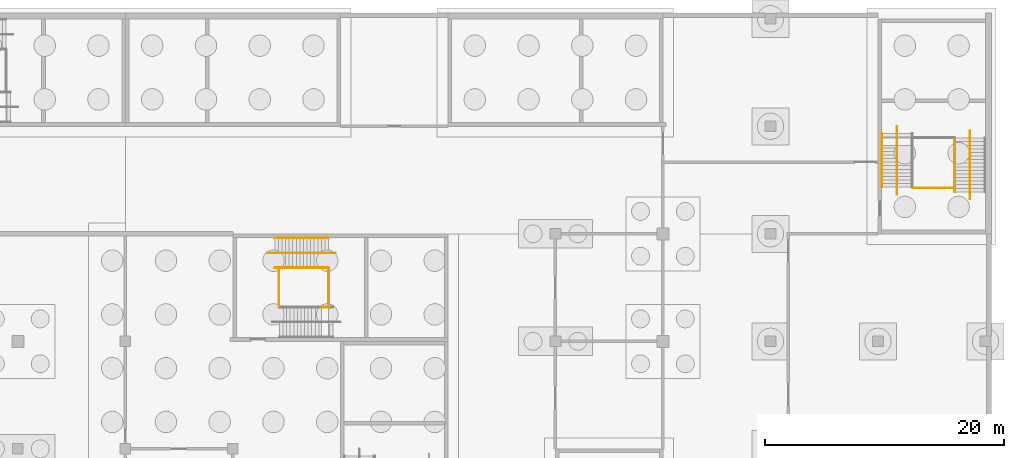
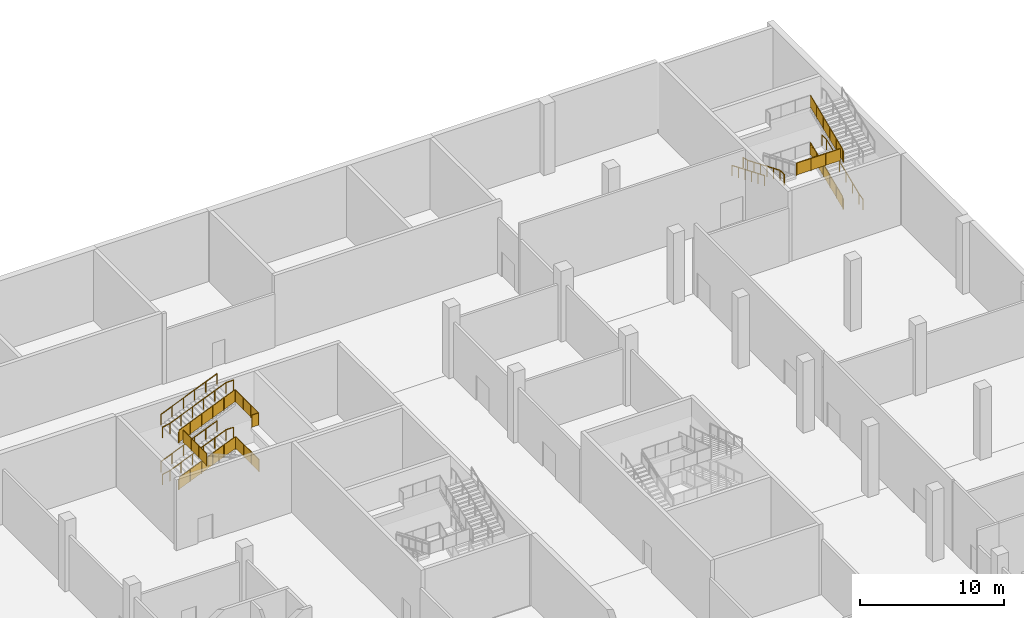
# One storey, part 40 of 42: 19 railings.
"""IFC4 building model written with IfcOpenShell, lengths in metres."""

from ifc_helpers import new_model, si_unit, direction, frame, origin, origin_2d, place, context, subcontext, project, spatial, polyline, circle, outline, extrude, material, type_object, element, save


model = new_model("IFC4")

# Units and contexts
model_context = context("Model", 3, precision=1e-05, world=origin(), true_north=direction((0.0, 1.0)))
body_context = subcontext(model_context, "Body", "Model", "MODEL_VIEW")
ifc_project = project(units=[si_unit("LENGTHUNIT", "METRE"), si_unit("AREAUNIT", "SQUARE_METRE"), si_unit("VOLUMEUNIT", "CUBIC_METRE"), si_unit("PLANEANGLEUNIT", "RADIAN"), si_unit("MASSUNIT", "GRAM", prefix="KILO")], contexts=[model_context])

# Site, building, storey
site_placement = place(None, origin())
site = spatial("IfcSite", under=ifc_project, at=site_placement, CompositionType="ELEMENT")
building_placement = place(site_placement, origin())
building = spatial("IfcBuilding", under=site, at=building_placement, Name="Silverbay Arena", CompositionType="ELEMENT")
storey_placement = place(building_placement, frame((0.0, 0.0, -6.0)))
storey = spatial("IfcBuildingStorey", under=building, at=storey_placement, Name="B1", CompositionType="ELEMENT", Elevation=-6.0)

# Railings
ifc_material_1 = material(Name="Stainless steel", Category="steel")
railing_type_1 = type_object("IfcRailingType", Name="Stair guard 1100", PredefinedType="GUARDRAIL", material=ifc_material_1)
railing_1_placement = place(storey_placement, frame((174.510009765625, 123.125, 0.125)))
element("IfcRailing", 1, at=railing_1_placement, inside=storey, type_object=railing_type_1, Name="Stair ST-NE1 B1 to L00 flight 1 guard left", PredefinedType="GUARDRAIL", context=body_context, shape_type="SweptSolid", body=[
    extrude(circle(Radius=0.02392578125, at=origin_2d()), frame((0.0, 0.0, 1.076171875), z_axis=(0.923076923077, 0.0, 0.384615384615), x_axis=(0.0, 1.0, 0.0)), (0.0, 0.0, 1.0), 4.875),
    extrude(outline(polyline([(-0.008056640625, 0.046630859375), (0.907958984375, 0.42822265625), (0.907958984375, 1.431396484375), (-0.008056640625, 1.049560546875), (-0.008056640625, 0.046630859375)])), frame((0.0, 0.0029296875, 0.0), z_axis=(0.0, -1.0, 0.0), x_axis=(1.0, 0.0, 0.0)), (0.0, 0.0, 1.0), 0.006103515625),
    extrude(outline(polyline([(-0.008056640625, 0.421630859375), (0.907958984375, 0.80322265625), (0.907958984375, 1.806396484375), (-0.008056640625, 1.424560546875), (-0.008056640625, 0.421630859375)])), frame((0.89990234375, 0.0029296875, 0.0), z_axis=(0.0, -1.0, 0.0), x_axis=(1.0, 0.0, 0.0)), (0.0, 0.0, 1.0), 0.006103515625),
    extrude(outline(polyline([(-0.008056640625, 0.796630859375), (0.907958984375, 1.17822265625), (0.907958984375, 2.181396484375), (-0.008056640625, 1.799560546875), (-0.008056640625, 0.796630859375)])), frame((1.800048828125, 0.0029296875, 0.0), z_axis=(0.0, -1.0, 0.0), x_axis=(1.0, 0.0, 0.0)), (0.0, 0.0, 1.0), 0.006103515625),
    extrude(outline(polyline([(-0.008056640625, 1.171630859375), (0.907958984375, 1.55322265625), (0.907958984375, 2.556396484375), (-0.008056640625, 2.174560546875), (-0.008056640625, 1.171630859375)])), frame((2.699951171875, 0.0029296875, 0.0), z_axis=(0.0, -1.0, 0.0), x_axis=(1.0, 0.0, 0.0)), (0.0, 0.0, 1.0), 0.006103515625),
    extrude(outline(polyline([(-0.008056640625, 1.546630859375), (0.907958984375, 1.92822265625), (0.907958984375, 2.931396484375), (-0.008056640625, 2.549560546875), (-0.008056640625, 1.546630859375)])), frame((3.60009765625, 0.0029296875, 0.0), z_axis=(0.0, -1.0, 0.0), x_axis=(1.0, 0.0, 0.0)), (0.0, 0.0, 1.0), 0.006103515625),
    extrude(circle(Radius=0.02099609375, at=origin_2d()), origin(), (0.0, 0.0, 1.0), 1.052001953125),
    extrude(circle(Radius=0.02099609375, at=origin_2d()), frame((0.89990234375, 0.0, 0.375)), (0.0, 0.0, 1.0), 1.052001953125),
    extrude(circle(Radius=0.02099609375, at=origin_2d()), frame((1.800048828125, 0.0, 0.75)), (0.0, 0.0, 1.0), 1.052001953125),
    extrude(circle(Radius=0.02099609375, at=origin_2d()), frame((2.699951171875, 0.0, 1.125)), (0.0, 0.0, 1.0), 1.052001953125),
    extrude(circle(Radius=0.02099609375, at=origin_2d()), frame((3.60009765625, 0.0, 1.5)), (0.0, 0.0, 1.0), 1.052001953125),
    extrude(circle(Radius=0.02099609375, at=origin_2d()), frame((4.5, 0.0, 1.875)), (0.0, 0.0, 1.0), 1.052001953125),
])
railing_2_placement = place(storey_placement, frame((174.510009765625, 123.125, 4.125)))
element("IfcRailing", 2, at=railing_2_placement, inside=storey, type_object=railing_type_1, Name="Stair ST-NE1 B1 to L00 flight 3 guard left", PredefinedType="GUARDRAIL", context=body_context, shape_type="SweptSolid", body=[
    extrude(circle(Radius=0.02392578125, at=origin_2d()), frame((0.0, 0.0, 1.076171875), z_axis=(0.923076923077, 0.0, 0.384615384615), x_axis=(0.0, 1.0, 0.0)), (0.0, 0.0, 1.0), 4.875),
    extrude(outline(polyline([(-0.008056640625, 0.046630859375), (0.907958984375, 0.42822265625), (0.907958984375, 1.431396484375), (-0.008056640625, 1.049560546875), (-0.008056640625, 0.046630859375)])), frame((0.0, 0.0029296875, 0.0), z_axis=(0.0, -1.0, 0.0), x_axis=(1.0, 0.0, 0.0)), (0.0, 0.0, 1.0), 0.006103515625),
    extrude(outline(polyline([(-0.008056640625, 0.421630859375), (0.907958984375, 0.80322265625), (0.907958984375, 1.806396484375), (-0.008056640625, 1.424560546875), (-0.008056640625, 0.421630859375)])), frame((0.89990234375, 0.0029296875, 0.0), z_axis=(0.0, -1.0, 0.0), x_axis=(1.0, 0.0, 0.0)), (0.0, 0.0, 1.0), 0.006103515625),
    extrude(outline(polyline([(-0.008056640625, 0.796630859375), (0.907958984375, 1.17822265625), (0.907958984375, 2.181396484375), (-0.008056640625, 1.799560546875), (-0.008056640625, 0.796630859375)])), frame((1.800048828125, 0.0029296875, 0.0), z_axis=(0.0, -1.0, 0.0), x_axis=(1.0, 0.0, 0.0)), (0.0, 0.0, 1.0), 0.006103515625),
    extrude(outline(polyline([(-0.008056640625, 1.171630859375), (0.907958984375, 1.55322265625), (0.907958984375, 2.556396484375), (-0.008056640625, 2.174560546875), (-0.008056640625, 1.171630859375)])), frame((2.699951171875, 0.0029296875, 0.0), z_axis=(0.0, -1.0, 0.0), x_axis=(1.0, 0.0, 0.0)), (0.0, 0.0, 1.0), 0.006103515625),
    extrude(outline(polyline([(-0.008056640625, 1.546630859375), (0.907958984375, 1.92822265625), (0.907958984375, 2.931396484375), (-0.008056640625, 2.549560546875), (-0.008056640625, 1.546630859375)])), frame((3.60009765625, 0.0029296875, 0.0), z_axis=(0.0, -1.0, 0.0), x_axis=(1.0, 0.0, 0.0)), (0.0, 0.0, 1.0), 0.006103515625),
    extrude(circle(Radius=0.02099609375, at=origin_2d()), origin(), (0.0, 0.0, 1.0), 1.052001953125),
    extrude(circle(Radius=0.02099609375, at=origin_2d()), frame((0.89990234375, 0.0, 0.375)), (0.0, 0.0, 1.0), 1.052001953125),
    extrude(circle(Radius=0.02099609375, at=origin_2d()), frame((1.800048828125, 0.0, 0.75)), (0.0, 0.0, 1.0), 1.052001953125),
    extrude(circle(Radius=0.02099609375, at=origin_2d()), frame((2.699951171875, 0.0, 1.125)), (0.0, 0.0, 1.0), 1.052001953125),
    extrude(circle(Radius=0.02099609375, at=origin_2d()), frame((3.60009765625, 0.0, 1.5)), (0.0, 0.0, 1.0), 1.052001953125),
    extrude(circle(Radius=0.02099609375, at=origin_2d()), frame((4.5, 0.0, 1.875)), (0.0, 0.0, 1.0), 1.052001953125),
])
for number, where, name in (
    (3, (179.06005859375, 119.89990234375, 2.0), "Stair ST-NE1 B1 to L00 landing 1 guard"),
    (4, (174.85009765625, 119.89990234375, 4.0), "Stair ST-NE1 B1 to L00 landing 2 guard"),
):
    element("IfcRailing", number, at=place(storey_placement, frame(where)), inside=storey, type_object=railing_type_1, Name=name, PredefinedType="GUARDRAIL", context=body_context, shape_type="SweptSolid", body=[
        extrude(circle(Radius=0.02392578125, at=origin_2d()), frame((0.0, 0.0, 1.076171875), z_axis=(0.0, 1.0, 0.0), x_axis=(-1.0, 0.0, 0.0)), (0.0, 0.0, 1.0), 3.2001953125),
        extrude(outline(polyline([(-0.008056640625, 0.050048828125), (1.07470703125, 0.050048828125), (1.07470703125, 1.052978515625), (-0.008056640625, 1.052978515625), (-0.008056640625, 0.050048828125)])), frame((-0.0029296875, 0.0, 0.0), z_axis=(1.0, 0.0, 0.0), x_axis=(0.0, 1.0, 0.0)), (0.0, 0.0, 1.0), 0.006103515625),
        extrude(outline(polyline([(-0.008056640625, 0.050048828125), (1.07470703125, 0.050048828125), (1.07470703125, 1.052978515625), (-0.008056640625, 1.052978515625), (-0.008056640625, 0.050048828125)])), frame((-0.0029296875, 1.066650390625, 0.0), z_axis=(1.0, 0.0, 0.0), x_axis=(0.0, 1.0, 0.0)), (0.0, 0.0, 1.0), 0.006103515625),
        extrude(outline(polyline([(-0.008056640625, 0.050048828125), (1.07470703125, 0.050048828125), (1.07470703125, 1.052978515625), (-0.008056640625, 1.052978515625), (-0.008056640625, 0.050048828125)])), frame((-0.0029296875, 2.133544921875, 0.0), z_axis=(1.0, 0.0, 0.0), x_axis=(0.0, 1.0, 0.0)), (0.0, 0.0, 1.0), 0.006103515625),
        extrude(circle(Radius=0.02099609375, at=origin_2d()), origin(), (0.0, 0.0, 1.0), 1.052001953125),
        extrude(circle(Radius=0.02099609375, at=origin_2d()), frame((0.0, 1.066650390625, 0.0)), (0.0, 0.0, 1.0), 1.052001953125),
        extrude(circle(Radius=0.02099609375, at=origin_2d()), frame((0.0, 2.133544921875, 0.0)), (0.0, 0.0, 1.0), 1.052001953125),
        extrude(circle(Radius=0.02099609375, at=origin_2d()), frame((0.0, 3.2001953125, 0.0)), (0.0, 0.0, 1.0), 1.052001953125),
    ])
railing_3_placement = place(storey_placement, frame((178.449951171875, 119.85009765625, 6.0)))
element("IfcRailing", 5, at=railing_3_placement, inside=storey, type_object=railing_type_1, Name="Stair ST-NE1 B1 to L00 landing 3 guard", PredefinedType="GUARDRAIL", context=body_context, shape_type="SweptSolid", body=[
    extrude(circle(Radius=0.02392578125, at=origin_2d()), frame((0.0, 0.0, 1.076171875), z_axis=(1.0, 0.0, 0.0), x_axis=(0.0, 1.0, 0.0)), (0.0, 0.0, 1.0), 0.56005859375),
    extrude(outline(polyline([(-0.008056640625, 0.050048828125), (0.568115234375, 0.050048828125), (0.568115234375, 1.052978515625), (-0.008056640625, 1.052978515625), (-0.008056640625, 0.050048828125)])), frame((0.0, 0.0029296875, 0.0), z_axis=(0.0, -1.0, 0.0), x_axis=(1.0, 0.0, 0.0)), (0.0, 0.0, 1.0), 0.006103515625),
    extrude(circle(Radius=0.02392578125, at=origin_2d()), frame((0.56005859375, 0.0, 1.076171875), z_axis=(0.0, 1.0, 0.0), x_axis=(-1.0, 0.0, 0.0)), (0.0, 0.0, 1.0), 3.25),
    extrude(outline(polyline([(-0.008056640625, 0.050048828125), (1.09130859375, 0.050048828125), (1.09130859375, 1.052978515625), (-0.008056640625, 1.052978515625), (-0.008056640625, 0.050048828125)])), frame((0.55712890625, 0.0, 0.0), z_axis=(1.0, 0.0, 0.0), x_axis=(0.0, 1.0, 0.0)), (0.0, 0.0, 1.0), 0.006103515625),
    extrude(outline(polyline([(-0.008056640625, 0.050048828125), (1.09130859375, 0.050048828125), (1.09130859375, 1.052978515625), (-0.008056640625, 1.052978515625), (-0.008056640625, 0.050048828125)])), frame((0.55712890625, 1.083251953125, 0.0), z_axis=(1.0, 0.0, 0.0), x_axis=(0.0, 1.0, 0.0)), (0.0, 0.0, 1.0), 0.006103515625),
    extrude(outline(polyline([(-0.008056640625, 0.050048828125), (1.09130859375, 0.050048828125), (1.09130859375, 1.052978515625), (-0.008056640625, 1.052978515625), (-0.008056640625, 0.050048828125)])), frame((0.55712890625, 2.166748046875, 0.0), z_axis=(1.0, 0.0, 0.0), x_axis=(0.0, 1.0, 0.0)), (0.0, 0.0, 1.0), 0.006103515625),
    extrude(circle(Radius=0.02099609375, at=origin_2d()), origin(), (0.0, 0.0, 1.0), 1.052001953125),
    extrude(circle(Radius=0.02099609375, at=origin_2d()), frame((0.56005859375, 0.0, 0.0)), (0.0, 0.0, 1.0), 1.052001953125),
    extrude(circle(Radius=0.02099609375, at=origin_2d()), frame((0.56005859375, 1.083251953125, 0.0)), (0.0, 0.0, 1.0), 1.052001953125),
    extrude(circle(Radius=0.02099609375, at=origin_2d()), frame((0.56005859375, 2.166748046875, 0.0)), (0.0, 0.0, 1.0), 1.052001953125),
    extrude(circle(Radius=0.02099609375, at=origin_2d()), frame((0.56005859375, 3.25, 0.0)), (0.0, 0.0, 1.0), 1.052001953125),
])
railing_4_placement = place(storey_placement, frame((231.425048828125, 129.510009765625, 0.125)))
element("IfcRailing", 6, at=railing_4_placement, inside=storey, type_object=railing_type_1, Name="Stair ST-EG2 B1 to L00 flight 1 guard left", PredefinedType="GUARDRAIL", context=body_context, shape_type="SweptSolid", body=[
    extrude(circle(Radius=0.02392578125, at=origin_2d()), frame((0.0, 0.0, 1.076171875), z_axis=(0.0, 0.923076923077, 0.384615384615), x_axis=(-1.0, 0.0, 0.0)), (0.0, 0.0, 1.0), 4.875),
    extrude(outline(polyline([(-0.008056640625, 0.046630859375), (0.907958984375, 0.42822265625), (0.907958984375, 1.431396484375), (-0.008056640625, 1.049560546875), (-0.008056640625, 0.046630859375)])), frame((-0.0029296875, 0.0, 0.0), z_axis=(1.0, 0.0, 0.0), x_axis=(0.0, 1.0, 0.0)), (0.0, 0.0, 1.0), 0.006103515625),
    extrude(outline(polyline([(-0.008056640625, 0.421630859375), (0.907958984375, 0.80322265625), (0.907958984375, 1.806396484375), (-0.008056640625, 1.424560546875), (-0.008056640625, 0.421630859375)])), frame((-0.0029296875, 0.89990234375, 0.0), z_axis=(1.0, 0.0, 0.0), x_axis=(0.0, 1.0, 0.0)), (0.0, 0.0, 1.0), 0.006103515625),
    extrude(outline(polyline([(-0.008056640625, 0.796630859375), (0.907958984375, 1.17822265625), (0.907958984375, 2.181396484375), (-0.008056640625, 1.799560546875), (-0.008056640625, 0.796630859375)])), frame((-0.0029296875, 1.800048828125, 0.0), z_axis=(1.0, 0.0, 0.0), x_axis=(0.0, 1.0, 0.0)), (0.0, 0.0, 1.0), 0.006103515625),
    extrude(outline(polyline([(-0.008056640625, 1.171630859375), (0.907958984375, 1.55322265625), (0.907958984375, 2.556396484375), (-0.008056640625, 2.174560546875), (-0.008056640625, 1.171630859375)])), frame((-0.0029296875, 2.699951171875, 0.0), z_axis=(1.0, 0.0, 0.0), x_axis=(0.0, 1.0, 0.0)), (0.0, 0.0, 1.0), 0.006103515625),
    extrude(outline(polyline([(-0.008056640625, 1.546630859375), (0.907958984375, 1.92822265625), (0.907958984375, 2.931396484375), (-0.008056640625, 2.549560546875), (-0.008056640625, 1.546630859375)])), frame((-0.0029296875, 3.60009765625, 0.0), z_axis=(1.0, 0.0, 0.0), x_axis=(0.0, 1.0, 0.0)), (0.0, 0.0, 1.0), 0.006103515625),
    extrude(circle(Radius=0.02099609375, at=origin_2d()), origin(), (0.0, 0.0, 1.0), 1.052001953125),
    extrude(circle(Radius=0.02099609375, at=origin_2d()), frame((0.0, 0.89990234375, 0.375)), (0.0, 0.0, 1.0), 1.052001953125),
    extrude(circle(Radius=0.02099609375, at=origin_2d()), frame((0.0, 1.800048828125, 0.75)), (0.0, 0.0, 1.0), 1.052001953125),
    extrude(circle(Radius=0.02099609375, at=origin_2d()), frame((0.0, 2.699951171875, 1.125)), (0.0, 0.0, 1.0), 1.052001953125),
    extrude(circle(Radius=0.02099609375, at=origin_2d()), frame((0.0, 3.60009765625, 1.5)), (0.0, 0.0, 1.0), 1.052001953125),
    extrude(circle(Radius=0.02099609375, at=origin_2d()), frame((0.0, 4.5, 1.875)), (0.0, 0.0, 1.0), 1.052001953125),
])
railing_5_placement = place(storey_placement, frame((231.425048828125, 129.510009765625, 4.125)))
element("IfcRailing", 7, at=railing_5_placement, inside=storey, type_object=railing_type_1, Name="Stair ST-EG2 B1 to L00 flight 3 guard left", PredefinedType="GUARDRAIL", context=body_context, shape_type="SweptSolid", body=[
    extrude(circle(Radius=0.02392578125, at=origin_2d()), frame((0.0, 0.0, 1.076171875), z_axis=(0.0, 0.923076923077, 0.384615384615), x_axis=(-1.0, 0.0, 0.0)), (0.0, 0.0, 1.0), 4.875),
    extrude(outline(polyline([(-0.008056640625, 0.046630859375), (0.907958984375, 0.42822265625), (0.907958984375, 1.431396484375), (-0.008056640625, 1.049560546875), (-0.008056640625, 0.046630859375)])), frame((-0.0029296875, 0.0, 0.0), z_axis=(1.0, 0.0, 0.0), x_axis=(0.0, 1.0, 0.0)), (0.0, 0.0, 1.0), 0.006103515625),
    extrude(outline(polyline([(-0.008056640625, 0.421630859375), (0.907958984375, 0.80322265625), (0.907958984375, 1.806396484375), (-0.008056640625, 1.424560546875), (-0.008056640625, 0.421630859375)])), frame((-0.0029296875, 0.89990234375, 0.0), z_axis=(1.0, 0.0, 0.0), x_axis=(0.0, 1.0, 0.0)), (0.0, 0.0, 1.0), 0.006103515625),
    extrude(outline(polyline([(-0.008056640625, 0.796630859375), (0.907958984375, 1.17822265625), (0.907958984375, 2.181396484375), (-0.008056640625, 1.799560546875), (-0.008056640625, 0.796630859375)])), frame((-0.0029296875, 1.800048828125, 0.0), z_axis=(1.0, 0.0, 0.0), x_axis=(0.0, 1.0, 0.0)), (0.0, 0.0, 1.0), 0.006103515625),
    extrude(outline(polyline([(-0.008056640625, 1.171630859375), (0.907958984375, 1.55322265625), (0.907958984375, 2.556396484375), (-0.008056640625, 2.174560546875), (-0.008056640625, 1.171630859375)])), frame((-0.0029296875, 2.699951171875, 0.0), z_axis=(1.0, 0.0, 0.0), x_axis=(0.0, 1.0, 0.0)), (0.0, 0.0, 1.0), 0.006103515625),
    extrude(outline(polyline([(-0.008056640625, 1.546630859375), (0.907958984375, 1.92822265625), (0.907958984375, 2.931396484375), (-0.008056640625, 2.549560546875), (-0.008056640625, 1.546630859375)])), frame((-0.0029296875, 3.60009765625, 0.0), z_axis=(1.0, 0.0, 0.0), x_axis=(0.0, 1.0, 0.0)), (0.0, 0.0, 1.0), 0.006103515625),
    extrude(circle(Radius=0.02099609375, at=origin_2d()), origin(), (0.0, 0.0, 1.0), 1.052001953125),
    extrude(circle(Radius=0.02099609375, at=origin_2d()), frame((0.0, 0.89990234375, 0.375)), (0.0, 0.0, 1.0), 1.052001953125),
    extrude(circle(Radius=0.02099609375, at=origin_2d()), frame((0.0, 1.800048828125, 0.75)), (0.0, 0.0, 1.0), 1.052001953125),
    extrude(circle(Radius=0.02099609375, at=origin_2d()), frame((0.0, 2.699951171875, 1.125)), (0.0, 0.0, 1.0), 1.052001953125),
    extrude(circle(Radius=0.02099609375, at=origin_2d()), frame((0.0, 3.60009765625, 1.5)), (0.0, 0.0, 1.0), 1.052001953125),
    extrude(circle(Radius=0.02099609375, at=origin_2d()), frame((0.0, 4.5, 1.875)), (0.0, 0.0, 1.0), 1.052001953125),
])
railing_6_placement = place(storey_placement, frame((227.89990234375, 129.85009765625, 4.0)))
element("IfcRailing", 8, at=railing_6_placement, inside=storey, type_object=railing_type_1, Name="Stair ST-EG2 B1 to L00 landing 2 guard", PredefinedType="GUARDRAIL", context=body_context, shape_type="SweptSolid", body=[
    extrude(circle(Radius=0.02392578125, at=origin_2d()), frame((0.0, 0.0, 1.076171875), z_axis=(1.0, 0.0, 0.0), x_axis=(0.0, 1.0, 0.0)), (0.0, 0.0, 1.0), 3.5),
    extrude(outline(polyline([(-0.008056640625, 0.050048828125), (1.174560546875, 0.050048828125), (1.174560546875, 1.052978515625), (-0.008056640625, 1.052978515625), (-0.008056640625, 0.050048828125)])), frame((0.0, 0.0029296875, 0.0), z_axis=(0.0, -1.0, 0.0), x_axis=(1.0, 0.0, 0.0)), (0.0, 0.0, 1.0), 0.006103515625),
    extrude(outline(polyline([(-0.008056640625, 0.050048828125), (1.174560546875, 0.050048828125), (1.174560546875, 1.052978515625), (-0.008056640625, 1.052978515625), (-0.008056640625, 0.050048828125)])), frame((1.166748046875, 0.0029296875, 0.0), z_axis=(0.0, -1.0, 0.0), x_axis=(1.0, 0.0, 0.0)), (0.0, 0.0, 1.0), 0.006103515625),
    extrude(outline(polyline([(-0.008056640625, 0.050048828125), (1.174560546875, 0.050048828125), (1.174560546875, 1.052978515625), (-0.008056640625, 1.052978515625), (-0.008056640625, 0.050048828125)])), frame((2.333251953125, 0.0029296875, 0.0), z_axis=(0.0, -1.0, 0.0), x_axis=(1.0, 0.0, 0.0)), (0.0, 0.0, 1.0), 0.006103515625),
    extrude(circle(Radius=0.02099609375, at=origin_2d()), origin(), (0.0, 0.0, 1.0), 1.052001953125),
    extrude(circle(Radius=0.02099609375, at=origin_2d()), frame((1.166748046875, 0.0, 0.0)), (0.0, 0.0, 1.0), 1.052001953125),
    extrude(circle(Radius=0.02099609375, at=origin_2d()), frame((2.333251953125, 0.0, 0.0)), (0.0, 0.0, 1.0), 1.052001953125),
    extrude(circle(Radius=0.02099609375, at=origin_2d()), frame((3.5, 0.0, 0.0)), (0.0, 0.0, 1.0), 1.052001953125),
])
ifc_material_2 = material(Name="Stainless steel", Category="steel")
railing_type_2 = type_object("IfcRailingType", Name="Stair handrail 900", PredefinedType="HANDRAIL", material=ifc_material_2)
for number, where, name in (
    (9, (174.510009765625, 123.1640625, 0.125), "Stair ST-NE1 B1 to L00 flight 1 handrail left"),
    (10, (174.510009765625, 125.64990234375, 0.125), "Stair ST-NE1 B1 to L00 flight 1 handrail right"),
):
    element("IfcRailing", number, at=place(storey_placement, frame(where)), inside=storey, type_object=railing_type_2, Name=name, PredefinedType="HANDRAIL", context=body_context, shape_type="SweptSolid", body=[
        extrude(circle(Radius=0.02392578125, at=origin_2d()), frame((0.0, 0.0, 0.8759765625), z_axis=(0.923076923077, 0.0, 0.384615384615), x_axis=(0.0, 1.0, 0.0)), (0.0, 0.0, 1.0), 4.875),
        extrude(circle(Radius=0.02099609375, at=origin_2d()), origin(), (0.0, 0.0, 1.0), 0.851806640625),
        extrude(circle(Radius=0.02099609375, at=origin_2d()), frame((0.89990234375, 0.0, 0.375)), (0.0, 0.0, 1.0), 0.851806640625),
        extrude(circle(Radius=0.02099609375, at=origin_2d()), frame((1.800048828125, 0.0, 0.75)), (0.0, 0.0, 1.0), 0.851806640625),
        extrude(circle(Radius=0.02099609375, at=origin_2d()), frame((2.699951171875, 0.0, 1.125)), (0.0, 0.0, 1.0), 0.851806640625),
        extrude(circle(Radius=0.02099609375, at=origin_2d()), frame((3.60009765625, 0.0, 1.5)), (0.0, 0.0, 1.0), 0.851806640625),
        extrude(circle(Radius=0.02099609375, at=origin_2d()), frame((4.5, 0.0, 1.875)), (0.0, 0.0, 1.0), 0.851806640625),
    ])
railing_7_placement = place(storey_placement, frame((173.909912109375, 124.39990234375, 0.0)))
element("IfcRailing", 11, at=railing_7_placement, inside=storey, type_object=railing_type_2, Name="Stair ST-NE1 B1 to L00 flight 1 central handrail", PredefinedType="HANDRAIL", context=body_context, shape_type="SweptSolid", body=[
    extrude(circle(Radius=0.02392578125, at=origin_2d()), frame((0.0, 0.0, 0.8759765625), z_axis=(0.978987046276, 0.0, 0.203922444139), x_axis=(0.0, 1.0, 0.0)), (0.0, 0.0, 1.0), 0.613037109375),
    extrude(circle(Radius=0.02392578125, at=origin_2d()), frame((0.60009765625, 0.0, 1.0009765625), z_axis=(0.923076923077, 0.0, 0.384615384615), x_axis=(0.0, 1.0, 0.0)), (0.0, 0.0, 1.0), 4.875),
    extrude(circle(Radius=0.02392578125, at=origin_2d()), frame((5.10009765625, 0.0, 2.8759765625), z_axis=(1.0, 0.0, 0.0), x_axis=(0.0, 1.0, 0.0)), (0.0, 0.0, 1.0), 0.60009765625),
    extrude(circle(Radius=0.02099609375, at=origin_2d()), origin(), (0.0, 0.0, 1.0), 0.851806640625),
    extrude(circle(Radius=0.02099609375, at=origin_2d()), frame((0.60009765625, 0.0, 0.125)), (0.0, 0.0, 1.0), 0.851806640625),
    extrude(circle(Radius=0.02099609375, at=origin_2d()), frame((1.5, 0.0, 0.5)), (0.0, 0.0, 1.0), 0.851806640625),
    extrude(circle(Radius=0.02099609375, at=origin_2d()), frame((2.400146484375, 0.0, 0.875)), (0.0, 0.0, 1.0), 0.851806640625),
    extrude(circle(Radius=0.02099609375, at=origin_2d()), frame((3.300048828125, 0.0, 1.25)), (0.0, 0.0, 1.0), 0.851806640625),
    extrude(circle(Radius=0.02099609375, at=origin_2d()), frame((4.2001953125, 0.0, 1.625)), (0.0, 0.0, 1.0), 0.851806640625),
    extrude(circle(Radius=0.02099609375, at=origin_2d()), frame((5.10009765625, 0.0, 2.0)), (0.0, 0.0, 1.0), 0.851806640625),
    extrude(circle(Radius=0.02099609375, at=origin_2d()), frame((5.7001953125, 0.0, 2.0)), (0.0, 0.0, 1.0), 0.851806640625),
])
for number, where, name in (
    (12, (174.510009765625, 123.1640625, 4.125), "Stair ST-NE1 B1 to L00 flight 3 handrail left"),
    (13, (174.510009765625, 125.64990234375, 4.125), "Stair ST-NE1 B1 to L00 flight 3 handrail right"),
):
    element("IfcRailing", number, at=place(storey_placement, frame(where)), inside=storey, type_object=railing_type_2, Name=name, PredefinedType="HANDRAIL", context=body_context, shape_type="SweptSolid", body=[
        extrude(circle(Radius=0.02392578125, at=origin_2d()), frame((0.0, 0.0, 0.8759765625), z_axis=(0.923076923077, 0.0, 0.384615384615), x_axis=(0.0, 1.0, 0.0)), (0.0, 0.0, 1.0), 4.875),
        extrude(circle(Radius=0.02099609375, at=origin_2d()), origin(), (0.0, 0.0, 1.0), 0.851806640625),
        extrude(circle(Radius=0.02099609375, at=origin_2d()), frame((0.89990234375, 0.0, 0.375)), (0.0, 0.0, 1.0), 0.851806640625),
        extrude(circle(Radius=0.02099609375, at=origin_2d()), frame((1.800048828125, 0.0, 0.75)), (0.0, 0.0, 1.0), 0.851806640625),
        extrude(circle(Radius=0.02099609375, at=origin_2d()), frame((2.699951171875, 0.0, 1.125)), (0.0, 0.0, 1.0), 0.851806640625),
        extrude(circle(Radius=0.02099609375, at=origin_2d()), frame((3.60009765625, 0.0, 1.5)), (0.0, 0.0, 1.0), 0.851806640625),
        extrude(circle(Radius=0.02099609375, at=origin_2d()), frame((4.5, 0.0, 1.875)), (0.0, 0.0, 1.0), 0.851806640625),
    ])
railing_8_placement = place(storey_placement, frame((173.909912109375, 124.39990234375, 4.0)))
element("IfcRailing", 14, at=railing_8_placement, inside=storey, type_object=railing_type_2, Name="Stair ST-NE1 B1 to L00 flight 3 central handrail", PredefinedType="HANDRAIL", context=body_context, shape_type="SweptSolid", body=[
    extrude(circle(Radius=0.02392578125, at=origin_2d()), frame((0.0, 0.0, 0.8759765625), z_axis=(0.978987046276, 0.0, 0.203922444139), x_axis=(0.0, 1.0, 0.0)), (0.0, 0.0, 1.0), 0.613037109375),
    extrude(circle(Radius=0.02392578125, at=origin_2d()), frame((0.60009765625, 0.0, 1.0009765625), z_axis=(0.923076923077, 0.0, 0.384615384615), x_axis=(0.0, 1.0, 0.0)), (0.0, 0.0, 1.0), 4.875),
    extrude(circle(Radius=0.02392578125, at=origin_2d()), frame((5.10009765625, 0.0, 2.8759765625), z_axis=(1.0, 0.0, 0.0), x_axis=(0.0, 1.0, 0.0)), (0.0, 0.0, 1.0), 0.60009765625),
    extrude(circle(Radius=0.02099609375, at=origin_2d()), origin(), (0.0, 0.0, 1.0), 0.851806640625),
    extrude(circle(Radius=0.02099609375, at=origin_2d()), frame((0.60009765625, 0.0, 0.125)), (0.0, 0.0, 1.0), 0.851806640625),
    extrude(circle(Radius=0.02099609375, at=origin_2d()), frame((1.5, 0.0, 0.5)), (0.0, 0.0, 1.0), 0.851806640625),
    extrude(circle(Radius=0.02099609375, at=origin_2d()), frame((2.400146484375, 0.0, 0.875)), (0.0, 0.0, 1.0), 0.851806640625),
    extrude(circle(Radius=0.02099609375, at=origin_2d()), frame((3.300048828125, 0.0, 1.25)), (0.0, 0.0, 1.0), 0.851806640625),
    extrude(circle(Radius=0.02099609375, at=origin_2d()), frame((4.2001953125, 0.0, 1.625)), (0.0, 0.0, 1.0), 0.851806640625),
    extrude(circle(Radius=0.02099609375, at=origin_2d()), frame((5.10009765625, 0.0, 2.0)), (0.0, 0.0, 1.0), 0.851806640625),
    extrude(circle(Radius=0.02099609375, at=origin_2d()), frame((5.7001953125, 0.0, 2.0)), (0.0, 0.0, 1.0), 0.851806640625),
])
railing_9_placement = place(storey_placement, frame((231.464111328125, 129.510009765625, 0.125)))
element("IfcRailing", 15, at=railing_9_placement, inside=storey, type_object=railing_type_2, Name="Stair ST-EG2 B1 to L00 flight 1 handrail left", PredefinedType="HANDRAIL", context=body_context, shape_type="SweptSolid", body=[
    extrude(circle(Radius=0.02392578125, at=origin_2d()), frame((0.0, 0.0, 0.8759765625), z_axis=(0.0, 0.923076923077, 0.384615384615), x_axis=(-1.0, 0.0, 0.0)), (0.0, 0.0, 1.0), 4.875),
    extrude(circle(Radius=0.02099609375, at=origin_2d()), origin(), (0.0, 0.0, 1.0), 0.851806640625),
    extrude(circle(Radius=0.02099609375, at=origin_2d()), frame((0.0, 0.89990234375, 0.375)), (0.0, 0.0, 1.0), 0.851806640625),
    extrude(circle(Radius=0.02099609375, at=origin_2d()), frame((0.0, 1.800048828125, 0.75)), (0.0, 0.0, 1.0), 0.851806640625),
    extrude(circle(Radius=0.02099609375, at=origin_2d()), frame((0.0, 2.699951171875, 1.125)), (0.0, 0.0, 1.0), 0.851806640625),
    extrude(circle(Radius=0.02099609375, at=origin_2d()), frame((0.0, 3.60009765625, 1.5)), (0.0, 0.0, 1.0), 0.851806640625),
    extrude(circle(Radius=0.02099609375, at=origin_2d()), frame((0.0, 4.5, 1.875)), (0.0, 0.0, 1.0), 0.851806640625),
])
railing_10_placement = place(storey_placement, frame((232.699951171875, 128.909912109375, 0.0)))
element("IfcRailing", 16, at=railing_10_placement, inside=storey, type_object=railing_type_2, Name="Stair ST-EG2 B1 to L00 flight 1 central handrail", PredefinedType="HANDRAIL", context=body_context, shape_type="SweptSolid", body=[
    extrude(circle(Radius=0.02392578125, at=origin_2d()), frame((0.0, 0.0, 0.8759765625), z_axis=(0.0, 0.978987046276, 0.203922444139), x_axis=(-1.0, 0.0, 0.0)), (0.0, 0.0, 1.0), 0.613037109375),
    extrude(circle(Radius=0.02392578125, at=origin_2d()), frame((0.0, 0.60009765625, 1.0009765625), z_axis=(0.0, 0.923076923077, 0.384615384615), x_axis=(-1.0, 0.0, 0.0)), (0.0, 0.0, 1.0), 4.875),
    extrude(circle(Radius=0.02392578125, at=origin_2d()), frame((0.0, 5.10009765625, 2.8759765625), z_axis=(0.0, 1.0, 0.0), x_axis=(-1.0, 0.0, 0.0)), (0.0, 0.0, 1.0), 0.60009765625),
    extrude(circle(Radius=0.02099609375, at=origin_2d()), origin(), (0.0, 0.0, 1.0), 0.851806640625),
    extrude(circle(Radius=0.02099609375, at=origin_2d()), frame((0.0, 0.60009765625, 0.125)), (0.0, 0.0, 1.0), 0.851806640625),
    extrude(circle(Radius=0.02099609375, at=origin_2d()), frame((0.0, 1.5, 0.5)), (0.0, 0.0, 1.0), 0.851806640625),
    extrude(circle(Radius=0.02099609375, at=origin_2d()), frame((0.0, 2.400146484375, 0.875)), (0.0, 0.0, 1.0), 0.851806640625),
    extrude(circle(Radius=0.02099609375, at=origin_2d()), frame((0.0, 3.300048828125, 1.25)), (0.0, 0.0, 1.0), 0.851806640625),
    extrude(circle(Radius=0.02099609375, at=origin_2d()), frame((0.0, 4.2001953125, 1.625)), (0.0, 0.0, 1.0), 0.851806640625),
    extrude(circle(Radius=0.02099609375, at=origin_2d()), frame((0.0, 5.10009765625, 2.0)), (0.0, 0.0, 1.0), 0.851806640625),
    extrude(circle(Radius=0.02099609375, at=origin_2d()), frame((0.0, 5.7001953125, 2.0)), (0.0, 0.0, 1.0), 0.851806640625),
])
railing_11_placement = place(storey_placement, frame((225.35009765625, 134.39990234375, 2.125)))
element("IfcRailing", 17, at=railing_11_placement, inside=storey, type_object=railing_type_2, Name="Stair ST-EG2 B1 to L00 flight 2 handrail left", PredefinedType="HANDRAIL", context=body_context, shape_type="SweptSolid", body=[
    extrude(circle(Radius=0.02392578125, at=origin_2d()), frame((0.0, 0.0, 0.8759765625), z_axis=(0.0, -0.923076923077, 0.384615384615), x_axis=(1.0, 0.0, 0.0)), (0.0, 0.0, 1.0), 4.875),
    extrude(circle(Radius=0.02099609375, at=origin_2d()), origin(), (0.0, 0.0, 1.0), 0.851806640625),
    extrude(circle(Radius=0.02099609375, at=origin_2d()), frame((0.0, -0.89990234375, 0.375)), (0.0, 0.0, 1.0), 0.851806640625),
    extrude(circle(Radius=0.02099609375, at=origin_2d()), frame((0.0, -1.800048828125, 0.75)), (0.0, 0.0, 1.0), 0.851806640625),
    extrude(circle(Radius=0.02099609375, at=origin_2d()), frame((0.0, -2.699951171875, 1.125)), (0.0, 0.0, 1.0), 0.851806640625),
    extrude(circle(Radius=0.02099609375, at=origin_2d()), frame((0.0, -3.60009765625, 1.5)), (0.0, 0.0, 1.0), 0.851806640625),
    extrude(circle(Radius=0.02099609375, at=origin_2d()), frame((0.0, -4.5, 1.875)), (0.0, 0.0, 1.0), 0.851806640625),
])
railing_12_placement = place(storey_placement, frame((226.60009765625, 135.0, 2.0)))
element("IfcRailing", 18, at=railing_12_placement, inside=storey, type_object=railing_type_2, Name="Stair ST-EG2 B1 to L00 flight 2 central handrail", PredefinedType="HANDRAIL", context=body_context, shape_type="SweptSolid", body=[
    extrude(circle(Radius=0.02392578125, at=origin_2d()), frame((0.0, 0.0, 0.8759765625), z_axis=(0.0, -0.978987046276, 0.203922444139), x_axis=(1.0, 0.0, 0.0)), (0.0, 0.0, 1.0), 0.613037109375),
    extrude(circle(Radius=0.02392578125, at=origin_2d()), frame((0.0, -0.60009765625, 1.0009765625), z_axis=(0.0, -0.923076923077, 0.384615384615), x_axis=(1.0, 0.0, 0.0)), (0.0, 0.0, 1.0), 4.875),
    extrude(circle(Radius=0.02392578125, at=origin_2d()), frame((0.0, -5.10009765625, 2.8759765625), z_axis=(0.0, -1.0, 0.0), x_axis=(1.0, 0.0, 0.0)), (0.0, 0.0, 1.0), 0.599853515625),
    extrude(circle(Radius=0.02099609375, at=origin_2d()), origin(), (0.0, 0.0, 1.0), 0.851806640625),
    extrude(circle(Radius=0.02099609375, at=origin_2d()), frame((0.0, -0.60009765625, 0.125)), (0.0, 0.0, 1.0), 0.851806640625),
    extrude(circle(Radius=0.02099609375, at=origin_2d()), frame((0.0, -1.5, 0.5)), (0.0, 0.0, 1.0), 0.851806640625),
    extrude(circle(Radius=0.02099609375, at=origin_2d()), frame((0.0, -2.400146484375, 0.875)), (0.0, 0.0, 1.0), 0.851806640625),
    extrude(circle(Radius=0.02099609375, at=origin_2d()), frame((0.0, -3.300048828125, 1.25)), (0.0, 0.0, 1.0), 0.851806640625),
    extrude(circle(Radius=0.02099609375, at=origin_2d()), frame((0.0, -4.2001953125, 1.625)), (0.0, 0.0, 1.0), 0.851806640625),
    extrude(circle(Radius=0.02099609375, at=origin_2d()), frame((0.0, -5.10009765625, 2.0)), (0.0, 0.0, 1.0), 0.851806640625),
    extrude(circle(Radius=0.02099609375, at=origin_2d()), frame((0.0, -5.699951171875, 2.0)), (0.0, 0.0, 1.0), 0.851806640625),
])
railing_13_placement = place(storey_placement, frame((231.464111328125, 129.510009765625, 4.125)))
element("IfcRailing", 19, at=railing_13_placement, inside=storey, type_object=railing_type_2, Name="Stair ST-EG2 B1 to L00 flight 3 handrail left", PredefinedType="HANDRAIL", context=body_context, shape_type="SweptSolid", body=[
    extrude(circle(Radius=0.02392578125, at=origin_2d()), frame((0.0, 0.0, 0.8759765625), z_axis=(0.0, 0.923076923077, 0.384615384615), x_axis=(-1.0, 0.0, 0.0)), (0.0, 0.0, 1.0), 4.875),
    extrude(circle(Radius=0.02099609375, at=origin_2d()), origin(), (0.0, 0.0, 1.0), 0.851806640625),
    extrude(circle(Radius=0.02099609375, at=origin_2d()), frame((0.0, 0.89990234375, 0.375)), (0.0, 0.0, 1.0), 0.851806640625),
    extrude(circle(Radius=0.02099609375, at=origin_2d()), frame((0.0, 1.800048828125, 0.75)), (0.0, 0.0, 1.0), 0.851806640625),
    extrude(circle(Radius=0.02099609375, at=origin_2d()), frame((0.0, 2.699951171875, 1.125)), (0.0, 0.0, 1.0), 0.851806640625),
    extrude(circle(Radius=0.02099609375, at=origin_2d()), frame((0.0, 3.60009765625, 1.5)), (0.0, 0.0, 1.0), 0.851806640625),
    extrude(circle(Radius=0.02099609375, at=origin_2d()), frame((0.0, 4.5, 1.875)), (0.0, 0.0, 1.0), 0.851806640625),
])

save(model, "model.ifc")
